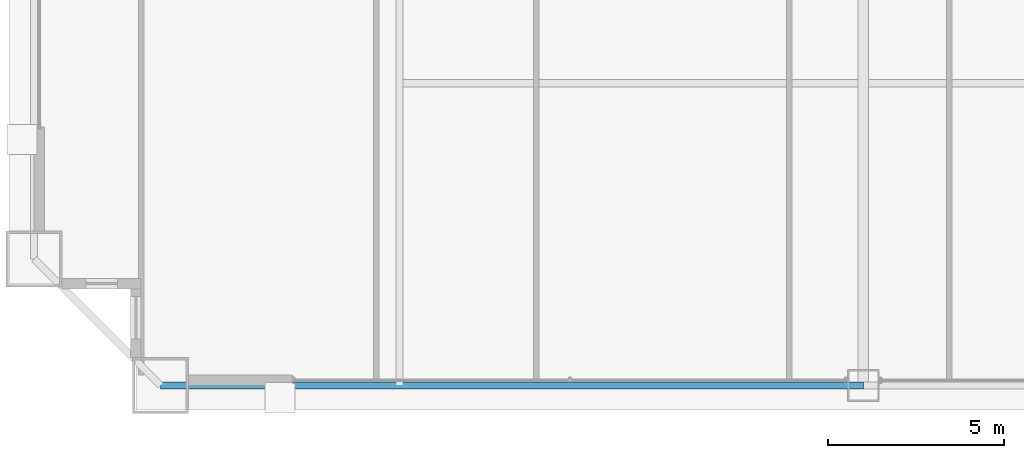
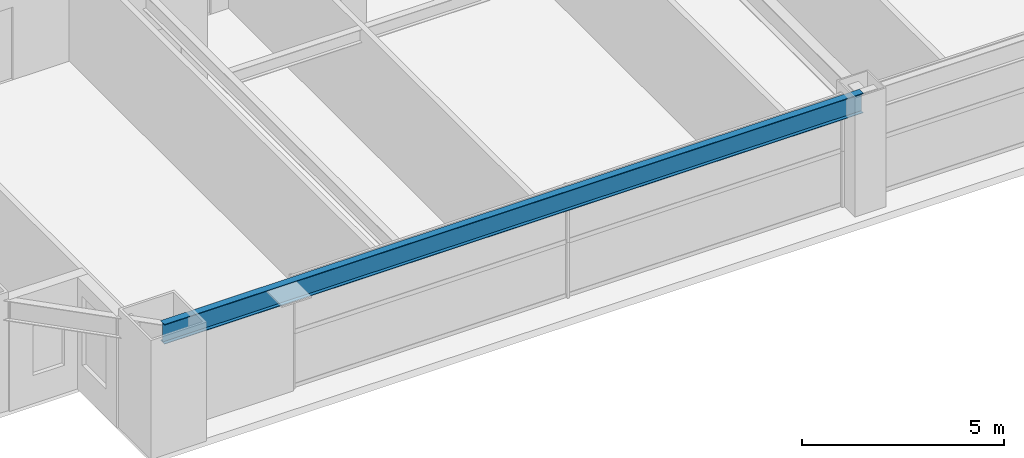
# One storey, part 4 of 38: 1 beam.
"""IFC4 building model written with IfcOpenShell, lengths in metres."""

from ifc_helpers import new_model, si_unit, direction, frame, origin, origin_2d, place, context, subcontext, project, spatial, i_section, extrude, source, transform, mapped, material, material_profile, profile_set, type_object, element, save


model = new_model("IFC4")

# Units and contexts
model_context = context("Model", 3, precision=1e-05, world=origin(), true_north=direction((0.0, 1.0)))
body_context = subcontext(model_context, "Body", "Model", "MODEL_VIEW")
ifc_project = project(units=[si_unit("LENGTHUNIT", "METRE"), si_unit("AREAUNIT", "SQUARE_METRE"), si_unit("VOLUMEUNIT", "CUBIC_METRE"), si_unit("PLANEANGLEUNIT", "RADIAN"), si_unit("MASSUNIT", "GRAM", prefix="KILO"), si_unit("THERMODYNAMICTEMPERATUREUNIT", "KELVIN"), si_unit("POWERUNIT", "WATT")], contexts=[model_context])

# Site, building, storey
site_placement = place(None, origin())
site = spatial("IfcSite", under=ifc_project, at=site_placement, CompositionType="ELEMENT")
building_placement = place(site_placement, origin())
building = spatial("IfcBuilding", under=site, at=building_placement, Name="Yuzanri Waterfront Tower", CompositionType="ELEMENT")
storey_placement = place(building_placement, frame((0.0, 0.0, 97.39990234375)))
storey = spatial("IfcBuildingStorey", under=building, at=storey_placement, Name="L25", CompositionType="ELEMENT", Elevation=97.39990234375)

# Beam
ifc_material = material(Name="Steel Q355B", Category="steel")
ifc_material_profile = material_profile(ifc_material, i_section(OverallWidth=0.199951171875, OverallDepth=0.60009765625, WebThickness=0.010986328125, FlangeThickness=0.01708984375, at=origin_2d()), Name="HN 600x200x11x17")
ifc_profile_set = profile_set([ifc_material_profile], Name="Steel Q355B")
beam_type = type_object("IfcBeamType", Name="Perimeter Spandrel Q355B HN 600x200", PredefinedType="SPANDREL", material=ifc_profile_set)
shared_shape = source(origin(), body_context, "Body", "SweptSolid", [
    extrude(i_section(OverallWidth=0.199951171875, OverallDepth=0.60009765625, WebThickness=0.010986328125, FlangeThickness=0.01708984375, at=origin_2d()), origin(), (0.0, 0.0, 1.0), 20.0),
])
beam_placement = place(storey_placement, frame((17.0, 2.199951171875, 3.080078125), z_axis=(1.0, 0.0, 0.0), x_axis=(0.0, 1.0, 0.0)))
element("IfcBeam", 1, at=beam_placement, inside=storey, type_object=beam_type, Name="L25 Perimeter Spandrel S1-S2", PredefinedType="SPANDREL", context=body_context, shape_type="MappedRepresentation", body=[
    mapped(shared_shape, transform((0.0, 0.0, 0.0), scale=1.0)),
])

save(model, "model.ifc")
